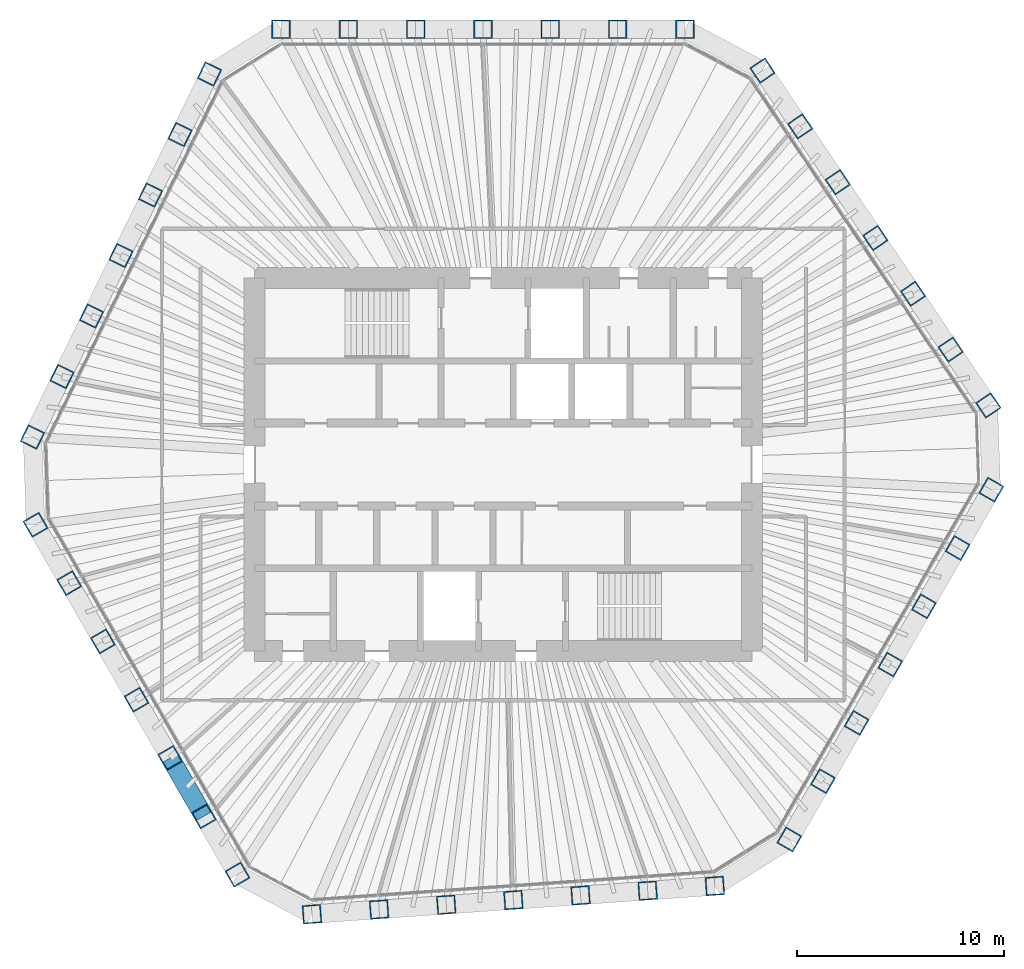
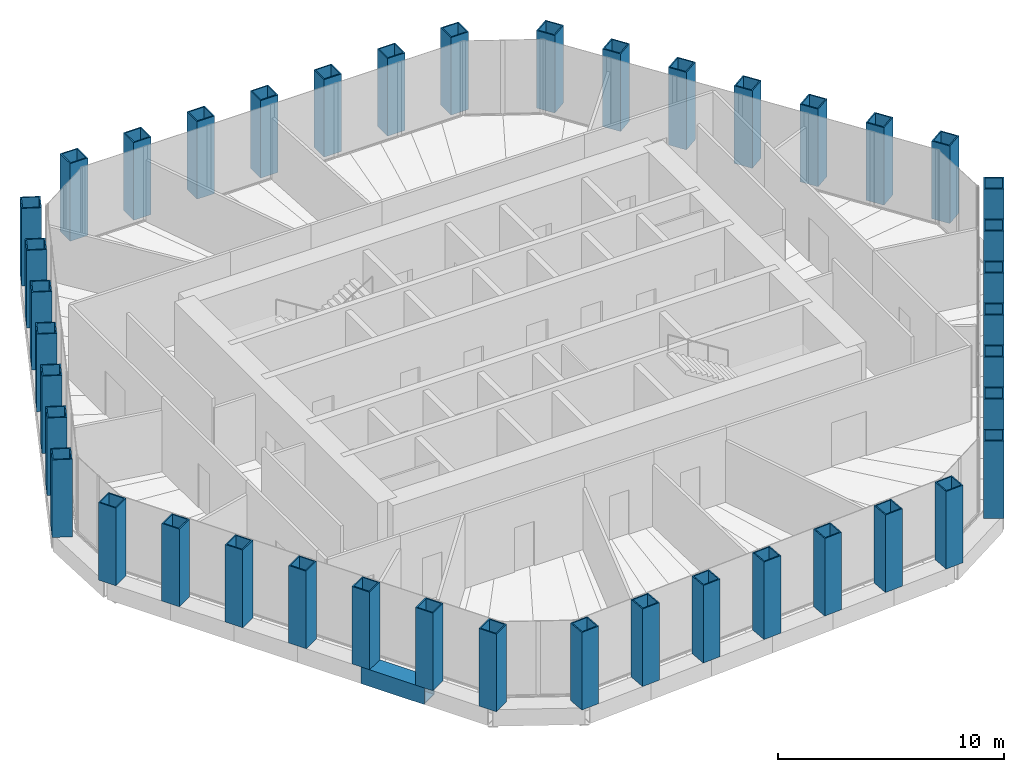
# One storey, part 1 of 14: 42 columns, 1 beam.
"""IFC4 building model written with IfcOpenShell, lengths in metres."""

from ifc_helpers import new_model, si_unit, direction, frame, origin, origin_2d, place, context, subcontext, project, spatial, hollow_rectangle, extrude, material, material_profile, profile_set, type_object, element, save


model = new_model("IFC4")

# Units and contexts
model_context = context("Model", 3, precision=1e-05, world=origin(), true_north=direction((0.0, 1.0)))
body_context = subcontext(model_context, "Body", "Model", "MODEL_VIEW")
ifc_project = project(units=[si_unit("LENGTHUNIT", "METRE"), si_unit("AREAUNIT", "SQUARE_METRE"), si_unit("VOLUMEUNIT", "CUBIC_METRE"), si_unit("PLANEANGLEUNIT", "RADIAN"), si_unit("MASSUNIT", "GRAM", prefix="KILO")], contexts=[model_context])

# Site, building, storey
site_placement = place(None, origin())
site = spatial("IfcSite", under=ifc_project, at=site_placement, CompositionType="ELEMENT")
building_placement = place(site_placement, origin())
building = spatial("IfcBuilding", under=site, at=building_placement, Name="Qingtian Harvest Tower", CompositionType="ELEMENT")
storey_placement = place(building_placement, frame((0.0, 0.0, 274.60009765625)))
storey = spatial("IfcBuildingStorey", under=building, at=storey_placement, Name="L60", CompositionType="ELEMENT", Elevation=274.60009765625)

# Columns
ifc_material_1 = material(Name="Steel SM570MC", Category="steel")
ifc_material_profile_1 = material_profile(ifc_material_1, hollow_rectangle(XDim=0.89990234375, YDim=0.89990234375, WallThickness=0.06005859375, at=origin_2d()), Name="BOX900x900x60")
ifc_profile_set_1 = profile_set([ifc_material_profile_1], Name="Steel SM570MC")
column_type = type_object("IfcColumnType", Name="Tube column TC7 BOX900x900x60", PredefinedType="COLUMN", material=ifc_profile_set_1)
for number, where, z_axis, x_axis, name in (
    (1, (-10.72216796875, 21.0, 0.0), (0.0, 0.0, 1.0), (-1.0, 0.0, 0.0), "Tube column TC7 N0"),
    (2, (-7.47412109375, 21.0, 0.0), (0.0, 0.0, 1.0), (-1.0, 0.0, 0.0), "Tube column TC7 N1"),
    (3, (-4.226318359375, 21.0, 0.0), (0.0, 0.0, 1.0), (-1.0, 0.0, 0.0), "Tube column TC7 N2"),
    (4, (-0.978271484375, 21.0, 0.0), (0.0, 0.0, 1.0), (-1.0, 0.0, 0.0), "Tube column TC7 N3"),
    (5, (2.269775390625, 21.0, 0.0), (0.0, 0.0, 1.0), (-1.0, 0.0, 0.0), "Tube column TC7 N4"),
    (6, (5.517822265625, 21.0, 0.0), (0.0, 0.0, 1.0), (-1.0, 0.0, 0.0), "Tube column TC7 N5"),
    (7, (8.765869140625, 21.0, 0.0), (0.0, 0.0, 1.0), (-1.0, 0.0, 0.0), "Tube column TC7 N6"),
    (8, (12.508056640625, 19.01025390625, 0.0), (0.0, 0.0, 1.0), (-0.559192903471, 0.829037572555, 0.0), "Tube column TC7 NE0"),
    (9, (14.32421875, 16.317626953125, 0.0), (0.0, 0.0, 1.0), (-0.559192903471, 0.829037572555, 0.0), "Tube column TC7 NE1"),
    (10, (16.140625, 13.624755859375, 0.0), (0.0, 0.0, 1.0), (-0.559192903471, 0.829037572555, 0.0), "Tube column TC7 NE2"),
    (11, (17.956787109375, 10.93212890625, 0.0), (0.0, 0.0, 1.0), (-0.559192903471, 0.829037572555, 0.0), "Tube column TC7 NE3"),
    (12, (19.77294921875, 8.2392578125, 0.0), (0.0, 0.0, 1.0), (-0.559192903471, 0.829037572555, 0.0), "Tube column TC7 NE4"),
    (13, (21.58935546875, 5.546630859375, 0.0), (0.0, 0.0, 1.0), (-0.559192903471, 0.829037572555, 0.0), "Tube column TC7 NE5"),
    (14, (23.405517578125, 2.85400390625, 0.0), (0.0, 0.0, 1.0), (-0.559192903471, 0.829037572555, 0.0), "Tube column TC7 NE6"),
    (15, (23.547607421875, -1.21435546875, 0.0), (0.0, 0.0, 1.0), (0.5, 0.866025403784, 0.0), "Tube column TC7 SE0"),
    (16, (21.923583984375, -4.027099609375, 0.0), (0.0, 0.0, 1.0), (0.5, 0.866025403784, 0.0), "Tube column TC7 SE1"),
    (17, (20.299560546875, -6.840087890625, 0.0), (0.0, 0.0, 1.0), (0.5, 0.866025403784, 0.0), "Tube column TC7 SE2"),
    (18, (18.675537109375, -9.65283203125, 0.0), (0.0, 0.0, 1.0), (0.5, 0.866025403784, 0.0), "Tube column TC7 SE3"),
    (19, (17.051513671875, -12.4658203125, 0.0), (0.0, 0.0, 1.0), (0.5, 0.866025403784, 0.0), "Tube column TC7 SE4"),
    (20, (15.427490234375, -15.278564453125, 0.0), (0.0, 0.0, 1.0), (0.5, 0.866025403784, 0.0), "Tube column TC7 SE5"),
    (21, (13.803466796875, -18.091552734375, 0.0), (0.0, 0.0, 1.0), (0.5, 0.866025403784, 0.0), "Tube column TC7 SE6"),
    (22, (10.20947265625, -20.33740234375, 0.0), (0.0, 0.0, 1.0), (0.99756405026, 0.069756473744, 0.0), "Tube column TC7 S0"),
    (23, (6.96923828125, -20.56396484375, 0.0), (0.0, 0.0, 1.0), (0.99756405026, 0.069756473744, 0.0), "Tube column TC7 S1"),
    (24, (3.729248046875, -20.79052734375, 0.0), (0.0, 0.0, 1.0), (0.99756405026, 0.069756473744, 0.0), "Tube column TC7 S2"),
    (25, (0.489013671875, -21.01708984375, 0.0), (0.0, 0.0, 1.0), (0.99756405026, 0.069756473744, 0.0), "Tube column TC7 S3"),
    (26, (-2.7509765625, -21.24365234375, 0.0), (0.0, 0.0, 1.0), (0.99756405026, 0.069756473744, 0.0), "Tube column TC7 S4"),
    (27, (-5.9912109375, -21.47021484375, 0.0), (0.0, 0.0, 1.0), (0.99756405026, 0.069756473744, 0.0), "Tube column TC7 S5"),
    (28, (-9.231201171875, -21.69677734375, 0.0), (0.0, 0.0, 1.0), (0.99756405026, 0.069756473744, 0.0), "Tube column TC7 S6"),
    (29, (-12.825439453125, -19.78564453125, 0.0), (0.0, 0.0, 1.0), (0.5, -0.866025403784, 0.0), "Tube column TC7 SW0"),
    (30, (-14.449462890625, -16.972900390625, 0.0), (0.0, 0.0, 1.0), (0.5, -0.866025403784, 0.0), "Tube column TC7 SW1"),
    (31, (-16.073486328125, -14.159912109375, 0.0), (0.0, 0.0, 1.0), (0.5, -0.866025403784, 0.0), "Tube column TC7 SW2"),
    (32, (-17.697509765625, -11.34716796875, 0.0), (0.0, 0.0, 1.0), (0.5, -0.866025403784, 0.0), "Tube column TC7 SW3"),
    (33, (-19.321533203125, -8.5341796875, 0.0), (0.0, 0.0, 1.0), (0.5, -0.866025403784, 0.0), "Tube column TC7 SW4"),
    (34, (-20.945556640625, -5.721435546875, 0.0), (0.0, 0.0, 1.0), (0.5, -0.866025403784, 0.0), "Tube column TC7 SW5"),
    (35, (-22.569580078125, -2.908447265625, 0.0), (0.0, 0.0, 1.0), (0.5, -0.866025403784, 0.0), "Tube column TC7 SW6"),
    (36, (-22.71728515625, 1.3271484375, 0.0), (0.0, 0.0, 1.0), (-0.438371146789, -0.898794046299, 0.0), "Tube column TC7 NW0"),
    (37, (-21.29345703125, 4.246337890625, 0.0), (0.0, 0.0, 1.0), (-0.438371146789, -0.898794046299, 0.0), "Tube column TC7 NW1"),
    (38, (-19.86962890625, 7.165771484375, 0.0), (0.0, 0.0, 1.0), (-0.438371146789, -0.898794046299, 0.0), "Tube column TC7 NW2"),
    (39, (-18.44580078125, 10.0849609375, 0.0), (0.0, 0.0, 1.0), (-0.438371146789, -0.898794046299, 0.0), "Tube column TC7 NW3"),
    (40, (-17.02197265625, 13.00439453125, 0.0), (0.0, 0.0, 1.0), (-0.438371146789, -0.898794046299, 0.0), "Tube column TC7 NW4"),
    (41, (-15.59814453125, 15.923583984375, 0.0), (0.0, 0.0, 1.0), (-0.438371146789, -0.898794046299, 0.0), "Tube column TC7 NW5"),
    (42, (-14.17431640625, 18.8427734375, 0.0), (0.0, 0.0, 1.0), (-0.438371146789, -0.898794046299, 0.0), "Tube column TC7 NW6"),
):
    element("IfcColumn", number, at=place(storey_placement, frame(where, z_axis=z_axis, x_axis=x_axis)), inside=storey, type_object=column_type, Name=name, PredefinedType="COLUMN", context=body_context, shape_type="SweptSolid", body=[
        extrude(hollow_rectangle(XDim=0.89990234375, YDim=0.89990234375, WallThickness=0.06005859375, at=origin_2d()), origin(), (0.0, 0.0, 1.0), 4.199951171875),
    ])

# Beam
ifc_material_2 = material(Name="Steel SM570MC", Category="steel")
ifc_material_profile_2 = material_profile(ifc_material_2, hollow_rectangle(XDim=0.89990234375, YDim=0.89990234375, WallThickness=0.050048828125, at=origin_2d()), Name="BOX900x900x50")
ifc_profile_set_2 = profile_set([ifc_material_profile_2], Name="Steel SM570MC")
beam_type = type_object("IfcBeamType", Name="Transition spandrel SB6 BOX900x900x50", PredefinedType="SPANDREL", material=ifc_profile_set_2)
beam_placement = place(storey_placement, frame((-14.449462890625, -16.972900390625, -0.4501953125), z_axis=(-0.499987045439, 0.866032882975, 0.0), x_axis=(-0.866032882975, -0.499987045439, 0.0)))
element("IfcBeam", 43, at=beam_placement, inside=storey, type_object=beam_type, Name="Spandrel SB6 SW1", PredefinedType="SPANDREL", context=body_context, shape_type="SweptSolid", body=[
    extrude(hollow_rectangle(XDim=0.89990234375, YDim=0.89990234375, WallThickness=0.050048828125, at=origin_2d()), origin(), (0.0, 0.0, 1.0), 3.248046875),
])

save(model, "model.ifc")
